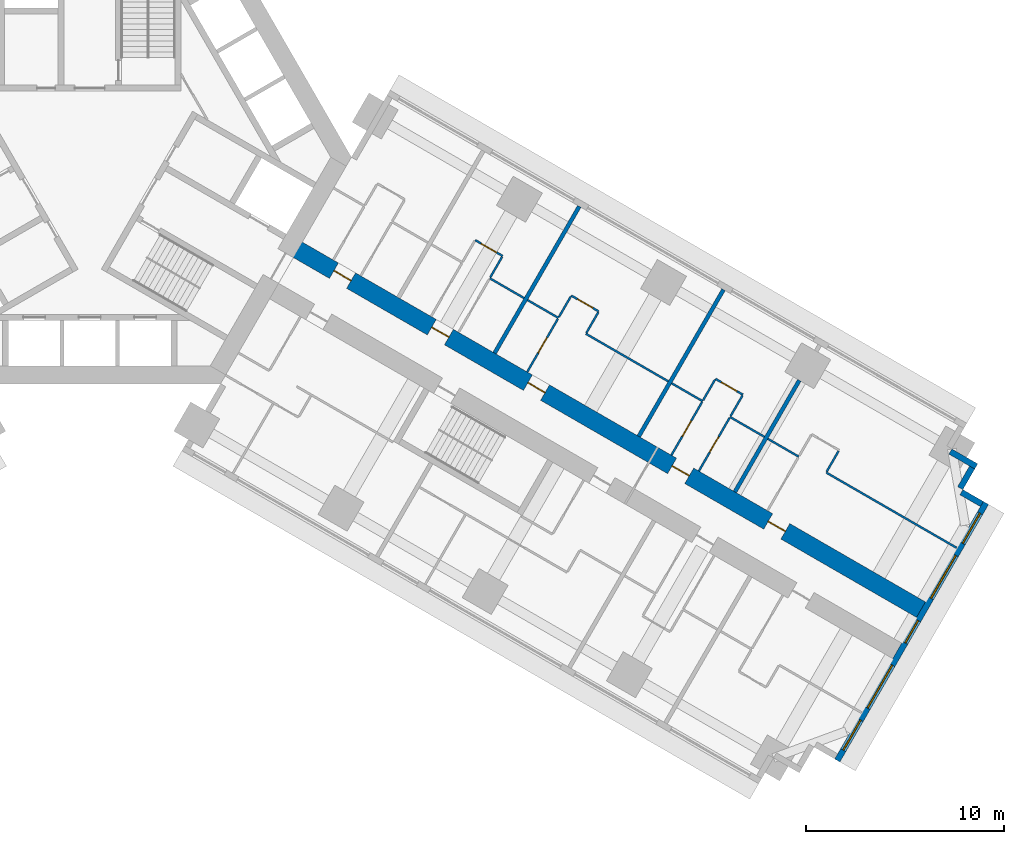
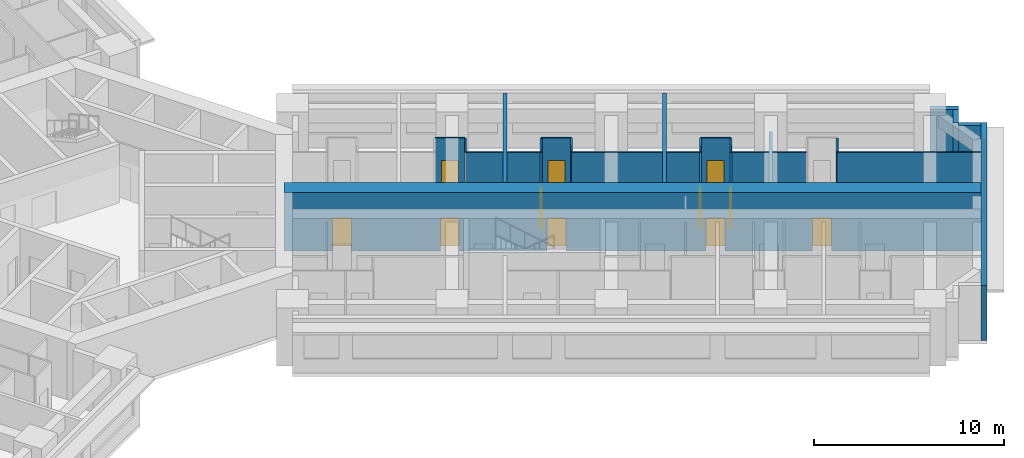
# One storey, part 13 of 17: 27 walls, 11 doors, 5 windows, 16 openings.
"""IFC4 building model written with IfcOpenShell, lengths in metres."""

from ifc_helpers import new_model, si_unit, direction, frame, frame_2d, origin, place, context, subcontext, project, spatial, rectangle, extrude, material, layer, layer_set, type_object, element, fill, save


model = new_model("IFC4")

# Units and contexts
model_context = context("Model", 3, precision=1e-05, world=origin(), true_north=direction((0.0, 1.0)))
body_context = subcontext(model_context, "Body", "Model", "MODEL_VIEW")
ifc_project = project(units=[si_unit("LENGTHUNIT", "METRE"), si_unit("AREAUNIT", "SQUARE_METRE"), si_unit("VOLUMEUNIT", "CUBIC_METRE"), si_unit("PLANEANGLEUNIT", "RADIAN"), si_unit("MASSUNIT", "GRAM", prefix="KILO")], contexts=[model_context])

# Site, building, storey
site_placement = place(None, origin())
site = spatial("IfcSite", under=ifc_project, at=site_placement, CompositionType="ELEMENT")
building_placement = place(site_placement, origin())
building = spatial("IfcBuilding", under=site, at=building_placement, Name="Impinga Residences", CompositionType="ELEMENT")
storey_placement = place(building_placement, frame((0.0, 0.0, 29.75)))
storey = spatial("IfcBuildingStorey", under=building, at=storey_placement, Name="L06", CompositionType="ELEMENT", Elevation=29.75)

# Wall, openings, doors
ifc_material_1 = material(Name="Concrete C70/85", Category="concrete")
ifc_layer_1 = layer(ifc_material_1, 0.89990234375)
ifc_layer_set_1 = layer_set([ifc_layer_1], Name="Concrete C70/85")
wall_type_1 = type_object("IfcWallType", Name="BW1 corridor buttress wall, L05 to L22 900", PredefinedType="SHEAR", material=ifc_layer_set_1)
wall_1_placement = place(storey_placement, frame((10.1103515625, -4.451416015625, 0.0), z_axis=(0.0, 0.0, 1.0), x_axis=(0.866025284237, -0.500000207062, 0.0)))
wall_1 = element("IfcWall", 1, at=wall_1_placement, inside=storey, type_object=wall_type_1, Name="Corridor wall BW1 EC L06", PredefinedType="SHEAR", context=body_context, shape_type="SweptSolid", body=[
    extrude(rectangle(XDim=36.75, YDim=0.89990234375, at=frame_2d((18.375, 0.0))), origin(), (0.0, 0.0, 1.0), 3.75),
])
opening_1_placement = place(wall_1_placement, frame((2.550048828125, 0.0, 0.0)))
opening_1 = element("IfcOpeningElement", 2, at=opening_1_placement, cuts=wall_1, Name="Opening D1", PredefinedType="OPENING", context=body_context, shape_type="SweptSolid", body=[
    extrude(rectangle(XDim=1.0, YDim=2.10009765625, at=frame_2d((0.5, 1.050048828125))), frame((0.0, 0.4599609375, 0.0), z_axis=(0.0, -1.0, 0.0), x_axis=(1.0, 0.0, 0.0)), (0.0, 0.0, 1.0), 0.919921875),
])
opening_2_placement = place(wall_1_placement, frame((8.25, 0.0, 0.0)))
opening_2 = element("IfcOpeningElement", 3, at=opening_2_placement, cuts=wall_1, Name="Opening D1", PredefinedType="OPENING", context=body_context, shape_type="SweptSolid", body=[
    extrude(rectangle(XDim=1.0, YDim=2.10009765625, at=frame_2d((0.5, 1.050048828125))), frame((0.0, 0.4599609375, 0.0), z_axis=(0.0, -1.0, 0.0), x_axis=(1.0, 0.0, 0.0)), (0.0, 0.0, 1.0), 0.919921875),
])
opening_3_placement = place(wall_1_placement, frame((13.85009765625, 0.0, 0.0)))
opening_3 = element("IfcOpeningElement", 4, at=opening_3_placement, cuts=wall_1, Name="Opening D1", PredefinedType="OPENING", context=body_context, shape_type="SweptSolid", body=[
    extrude(rectangle(XDim=1.0, YDim=2.10009765625, at=frame_2d((0.5, 1.050048828125))), frame((0.0, 0.4599609375, 0.0), z_axis=(0.0, -1.0, 0.0), x_axis=(1.0, 0.0, 0.0)), (0.0, 0.0, 1.0), 0.919921875),
])
opening_4_placement = place(wall_1_placement, frame((22.25, 0.0, 0.0)))
opening_4 = element("IfcOpeningElement", 5, at=opening_4_placement, cuts=wall_1, Name="Opening D1", PredefinedType="OPENING", context=body_context, shape_type="SweptSolid", body=[
    extrude(rectangle(XDim=1.0, YDim=2.10009765625, at=frame_2d((0.5, 1.050048828125))), frame((0.0, 0.4599609375, 0.0), z_axis=(0.0, -1.0, 0.0), x_axis=(1.0, 0.0, 0.0)), (0.0, 0.0, 1.0), 0.919921875),
])
opening_5_placement = place(wall_1_placement, frame((27.85009765625, 0.0, 0.0)))
opening_5 = element("IfcOpeningElement", 6, at=opening_5_placement, cuts=wall_1, Name="Opening D1", PredefinedType="OPENING", context=body_context, shape_type="SweptSolid", body=[
    extrude(rectangle(XDim=1.0, YDim=2.10009765625, at=frame_2d((0.5, 1.050048828125))), frame((0.0, 0.4599609375, 0.0), z_axis=(0.0, -1.0, 0.0), x_axis=(1.0, 0.0, 0.0)), (0.0, 0.0, 1.0), 0.919921875),
])
ifc_material_2 = material(Name="Timber door set", Category="wood")
door_type_1 = type_object("IfcDoorType", Name="D1 apartment entrance door 1000x2100", OperationType="SINGLE_SWING_LEFT", PredefinedType="DOOR", material=ifc_material_2)
door_1_placement = place(opening_1_placement, origin())
door_1 = element("IfcDoor", 7, at=door_1_placement, inside=storey, type_object=door_type_1, Name="Apartment L06-EA1 entrance", OperationType="SINGLE_SWING_LEFT", OverallHeight=2.10009765625, OverallWidth=1.0, PredefinedType="DOOR", context=body_context, shape_type="SweptSolid", body=[
    extrude(rectangle(XDim=1.0, YDim=2.10009765625, at=frame_2d((0.5, 1.050048828125))), frame((0.0, 0.02490234375, 0.0), z_axis=(0.0, -1.0, 0.0), x_axis=(1.0, 0.0, 0.0)), (0.0, 0.0, 1.0), 0.050048828125),
])
fill(opening_1, door_1)
door_2_placement = place(opening_2_placement, origin())
door_2 = element("IfcDoor", 8, at=door_2_placement, inside=storey, type_object=door_type_1, Name="Apartment L06-EA2 entrance", OperationType="SINGLE_SWING_LEFT", OverallHeight=2.10009765625, OverallWidth=1.0, PredefinedType="DOOR", context=body_context, shape_type="SweptSolid", body=[
    extrude(rectangle(XDim=1.0, YDim=2.10009765625, at=frame_2d((0.5, 1.050048828125))), frame((0.0, 0.02490234375, 0.0), z_axis=(0.0, -1.0, 0.0), x_axis=(1.0, 0.0, 0.0)), (0.0, 0.0, 1.0), 0.050048828125),
])
fill(opening_2, door_2)
door_3_placement = place(opening_3_placement, origin())
door_3 = element("IfcDoor", 9, at=door_3_placement, inside=storey, type_object=door_type_1, Name="Apartment L06-EA3 entrance", OperationType="SINGLE_SWING_LEFT", OverallHeight=2.10009765625, OverallWidth=1.0, PredefinedType="DOOR", context=body_context, shape_type="SweptSolid", body=[
    extrude(rectangle(XDim=1.0, YDim=2.10009765625, at=frame_2d((0.5, 1.050048828125))), frame((0.0, 0.02490234375, 0.0), z_axis=(0.0, -1.0, 0.0), x_axis=(1.0, 0.0, 0.0)), (0.0, 0.0, 1.0), 0.050048828125),
])
fill(opening_3, door_3)
door_4_placement = place(opening_4_placement, origin())
door_4 = element("IfcDoor", 10, at=door_4_placement, inside=storey, type_object=door_type_1, Name="Apartment L06-EA4 entrance", OperationType="SINGLE_SWING_RIGHT", OverallHeight=2.10009765625, OverallWidth=1.0, PredefinedType="DOOR", context=body_context, shape_type="SweptSolid", body=[
    extrude(rectangle(XDim=1.0, YDim=2.10009765625, at=frame_2d((0.5, 1.050048828125))), frame((0.0, 0.02490234375, 0.0), z_axis=(0.0, -1.0, 0.0), x_axis=(1.0, 0.0, 0.0)), (0.0, 0.0, 1.0), 0.050048828125),
])
fill(opening_4, door_4)
door_5_placement = place(opening_5_placement, origin())
door_5 = element("IfcDoor", 11, at=door_5_placement, inside=storey, type_object=door_type_1, Name="Apartment L06-EA5 entrance", OperationType="SINGLE_SWING_RIGHT", OverallHeight=2.10009765625, OverallWidth=1.0, PredefinedType="DOOR", context=body_context, shape_type="SweptSolid", body=[
    extrude(rectangle(XDim=1.0, YDim=2.10009765625, at=frame_2d((0.5, 1.050048828125))), frame((0.0, 0.02490234375, 0.0), z_axis=(0.0, -1.0, 0.0), x_axis=(1.0, 0.0, 0.0)), (0.0, 0.0, 1.0), 0.050048828125),
])
fill(opening_5, door_5)

# Walls
ifc_material_3 = material(Name="Terracotta rainscreen on blockwork", Category="masonry")
ifc_layer_2 = layer(ifc_material_3, 0.300048828125)
ifc_layer_set_2 = layer_set([ifc_layer_2], Name="EW1 external wall, terracotta rainscreen on blockwork 300")
wall_type_2 = type_object("IfcWallType", Name="EW1 external wall, terracotta rainscreen on blockwork 300", PredefinedType="SOLIDWALL", material=ifc_layer_set_2)
wall_2_placement = place(storey_placement, frame((43.42333984375, -14.8515625, 0.0), z_axis=(0.0, 0.0, 1.0), x_axis=(0.866031096941, -0.499990139034, 0.0)))
element("IfcWall", 12, at=wall_2_placement, inside=storey, type_object=wall_type_2, Name="External wall EW1 L06", PredefinedType="SOLIDWALL", context=body_context, shape_type="SweptSolid", body=[
    extrude(rectangle(XDim=1.5, YDim=0.300048828125, at=frame_2d((0.75, 0.0))), origin(), (0.0, 0.0, 1.0), 3.530029296875),
])
wall_3_placement = place(storey_placement, frame((44.517578125, -15.65625, 0.0), z_axis=(0.0, 0.0, 1.0), x_axis=(-0.500033551112, -0.866006032174, 0.0)))
element("IfcWall", 13, at=wall_3_placement, inside=storey, type_object=wall_type_2, Name="External wall EW1 L06", PredefinedType="SOLIDWALL", context=body_context, shape_type="SweptSolid", body=[
    extrude(rectangle(XDim=1.2001953125, YDim=0.300048828125, at=frame_2d((0.60009765625, 0.0))), origin(), (0.0, 0.0, 1.0), 3.530029296875),
])
wall_4_placement = place(storey_placement, frame((43.976806640625, -16.903076171875, 0.0), z_axis=(0.0, 0.0, 1.0), x_axis=(0.866059708757, -0.499940577336, 0.0)))
element("IfcWall", 14, at=wall_4_placement, inside=storey, type_object=wall_type_2, Name="External wall EW1 L06", PredefinedType="SOLIDWALL", context=body_context, shape_type="SweptSolid", body=[
    extrude(rectangle(XDim=1.195068359375, YDim=0.300048828125, at=frame_2d((0.59765625, 0.0))), origin(), (0.0, 0.0, 1.0), 3.530029296875),
])

# Wall, openings, windows
wall_5_placement = place(storey_placement, frame((45.216552734375, -17.445556640625, 0.0), z_axis=(0.0, 0.0, 1.0), x_axis=(-0.499997186618, -0.866027028085, 0.0)))
wall_5 = element("IfcWall", 15, at=wall_5_placement, inside=storey, type_object=wall_type_2, Name="External wall EW1 L06", PredefinedType="SOLIDWALL", context=body_context, shape_type="SweptSolid", body=[
    extrude(rectangle(XDim=15.0, YDim=0.300048828125, at=frame_2d((7.5, 0.0))), origin(), (0.0, 0.0, 1.0), 3.530029296875),
])
opening_6_placement = place(wall_5_placement, frame((0.60009765625, 0.0, 0.89990234375)))
opening_6 = element("IfcOpeningElement", 16, at=opening_6_placement, cuts=wall_5, Name="Opening W1", PredefinedType="OPENING", context=body_context, shape_type="SweptSolid", body=[
    extrude(rectangle(XDim=1.75, YDim=2.050048828125, at=frame_2d((0.875, 1.02490234375))), frame((0.0, 0.159912109375, 0.0), z_axis=(0.0, -1.0, 0.0), x_axis=(1.0, 0.0, 0.0)), (0.0, 0.0, 1.0), 0.320068359375),
])
opening_7_placement = place(wall_5_placement, frame((3.050048828125, 0.0, 0.89990234375)))
opening_7 = element("IfcOpeningElement", 17, at=opening_7_placement, cuts=wall_5, Name="Opening W2", PredefinedType="OPENING", context=body_context, shape_type="SweptSolid", body=[
    extrude(rectangle(XDim=2.5, YDim=2.050048828125, at=frame_2d((1.25, 1.02490234375))), frame((0.0, 0.159912109375, 0.0), z_axis=(0.0, -1.0, 0.0), x_axis=(1.0, 0.0, 0.0)), (0.0, 0.0, 1.0), 0.320068359375),
])
opening_8_placement = place(wall_5_placement, frame((6.85009765625, 0.0, 0.89990234375)))
opening_8 = element("IfcOpeningElement", 18, at=opening_8_placement, cuts=wall_5, Name="Opening WE1", PredefinedType="OPENING", context=body_context, shape_type="SweptSolid", body=[
    extrude(rectangle(XDim=1.300048828125, YDim=2.050048828125, at=frame_2d((0.64990234375, 1.02490234375))), frame((0.0, 0.159912109375, 0.0), z_axis=(0.0, -1.0, 0.0), x_axis=(1.0, 0.0, 0.0)), (0.0, 0.0, 1.0), 0.320068359375),
])
opening_9_placement = place(wall_5_placement, frame((9.449951171875, 0.0, 0.89990234375)))
opening_9 = element("IfcOpeningElement", 19, at=opening_9_placement, cuts=wall_5, Name="Opening W2", PredefinedType="OPENING", context=body_context, shape_type="SweptSolid", body=[
    extrude(rectangle(XDim=2.5, YDim=2.050048828125, at=frame_2d((1.25, 1.02490234375))), frame((0.0, 0.159912109375, 0.0), z_axis=(0.0, -1.0, 0.0), x_axis=(1.0, 0.0, 0.0)), (0.0, 0.0, 1.0), 0.320068359375),
])
opening_10_placement = place(wall_5_placement, frame((12.64990234375, 0.0, 0.89990234375)))
opening_10 = element("IfcOpeningElement", 20, at=opening_10_placement, cuts=wall_5, Name="Opening W1", PredefinedType="OPENING", context=body_context, shape_type="SweptSolid", body=[
    extrude(rectangle(XDim=1.75, YDim=2.050048828125, at=frame_2d((0.875, 1.02490234375))), frame((0.0, 0.159912109375, 0.0), z_axis=(0.0, -1.0, 0.0), x_axis=(1.0, 0.0, 0.0)), (0.0, 0.0, 1.0), 0.320068359375),
])
ifc_material_4 = material(Name="Aluminium window, clear double glazing", Category="aluminium")
window_type_1 = type_object("IfcWindowType", Name="W1 ribbon window 1750x2050", PartitioningType="SINGLE_PANEL", PredefinedType="WINDOW", material=ifc_material_4)
window_1_placement = place(opening_6_placement, origin())
window_1 = element("IfcWindow", 21, at=window_1_placement, inside=storey, type_object=window_type_1, Name="Window L06", OverallHeight=2.050048828125, OverallWidth=1.75, PartitioningType="SINGLE_PANEL", PredefinedType="WINDOW", context=body_context, shape_type="SweptSolid", body=[
    extrude(rectangle(XDim=1.75, YDim=2.050048828125, at=frame_2d((0.875, 1.02490234375))), frame((0.0, 0.030029296875, 0.0), z_axis=(0.0, -1.0, 0.0), x_axis=(1.0, 0.0, 0.0)), (0.0, 0.0, 1.0), 0.06005859375),
])
fill(opening_6, window_1)
window_2_placement = place(opening_10_placement, origin())
window_2 = element("IfcWindow", 22, at=window_2_placement, inside=storey, type_object=window_type_1, Name="Window L06", OverallHeight=2.050048828125, OverallWidth=1.75, PartitioningType="SINGLE_PANEL", PredefinedType="WINDOW", context=body_context, shape_type="SweptSolid", body=[
    extrude(rectangle(XDim=1.75, YDim=2.050048828125, at=frame_2d((0.875, 1.02490234375))), frame((0.0, 0.030029296875, 0.0), z_axis=(0.0, -1.0, 0.0), x_axis=(1.0, 0.0, 0.0)), (0.0, 0.0, 1.0), 0.06005859375),
])
fill(opening_10, window_2)
window_type_2 = type_object("IfcWindowType", Name="W2 ribbon window 2500x2050", PartitioningType="SINGLE_PANEL", PredefinedType="WINDOW", material=ifc_material_4)
window_3_placement = place(opening_7_placement, origin())
window_3 = element("IfcWindow", 23, at=window_3_placement, inside=storey, type_object=window_type_2, Name="Window L06", OverallHeight=2.050048828125, OverallWidth=2.5, PartitioningType="SINGLE_PANEL", PredefinedType="WINDOW", context=body_context, shape_type="SweptSolid", body=[
    extrude(rectangle(XDim=2.5, YDim=2.050048828125, at=frame_2d((1.25, 1.02490234375))), frame((0.0, 0.030029296875, 0.0), z_axis=(0.0, -1.0, 0.0), x_axis=(1.0, 0.0, 0.0)), (0.0, 0.0, 1.0), 0.06005859375),
])
fill(opening_7, window_3)
window_4_placement = place(opening_9_placement, origin())
window_4 = element("IfcWindow", 24, at=window_4_placement, inside=storey, type_object=window_type_2, Name="Window L06", OverallHeight=2.050048828125, OverallWidth=2.5, PartitioningType="SINGLE_PANEL", PredefinedType="WINDOW", context=body_context, shape_type="SweptSolid", body=[
    extrude(rectangle(XDim=2.5, YDim=2.050048828125, at=frame_2d((1.25, 1.02490234375))), frame((0.0, 0.030029296875, 0.0), z_axis=(0.0, -1.0, 0.0), x_axis=(1.0, 0.0, 0.0)), (0.0, 0.0, 1.0), 0.06005859375),
])
fill(opening_9, window_4)
window_type_3 = type_object("IfcWindowType", Name="WE1 corridor window 1300x2050", PartitioningType="SINGLE_PANEL", PredefinedType="WINDOW", material=ifc_material_4)
window_5_placement = place(opening_8_placement, origin())
window_5 = element("IfcWindow", 25, at=window_5_placement, inside=storey, type_object=window_type_3, Name="Window L06", OverallHeight=2.050048828125, OverallWidth=1.300048828125, PartitioningType="SINGLE_PANEL", PredefinedType="WINDOW", context=body_context, shape_type="SweptSolid", body=[
    extrude(rectangle(XDim=1.300048828125, YDim=2.050048828125, at=frame_2d((0.64990234375, 1.02490234375))), frame((0.0, 0.030029296875, 0.0), z_axis=(0.0, -1.0, 0.0), x_axis=(1.0, 0.0, 0.0)), (0.0, 0.0, 1.0), 0.06005859375),
])
fill(opening_8, window_5)

# Wall
ifc_material_5 = material(Name="Gypsum board on steel studs", Category="steel")
ifc_layer_3 = layer(ifc_material_5, 0.10009765625)
ifc_layer_set_3 = layer_set([ifc_layer_3], Name="Gypsum board on steel studs")
wall_type_3 = type_object("IfcWallType", Name="IP1 partition 100", PredefinedType="PARTITIONING", material=ifc_layer_set_3)
wall_6_placement = place(storey_placement, frame((20.180908203125, -6.10888671875, 0.0), z_axis=(0.0, 0.0, 1.0), x_axis=(0.866010750942, -0.50002537861, 0.0)))
element("IfcWall", 26, at=wall_6_placement, inside=storey, type_object=wall_type_3, Name="Partition L06-EA2:DIV1", PredefinedType="PARTITIONING", context=body_context, shape_type="SweptSolid", body=[
    extrude(rectangle(XDim=2.0, YDim=0.10009765625, at=frame_2d((1.0, 0.0))), origin(), (0.0, 0.0, 1.0), 3.530029296875),
])

# Wall, opening, door
wall_7_placement = place(storey_placement, frame((19.4453125, -4.18310546875, 0.0), z_axis=(0.0, 0.0, 1.0), x_axis=(0.866055983265, -0.499947031044, 0.0)))
wall_7 = element("IfcWall", 27, at=wall_7_placement, inside=storey, type_object=wall_type_3, Name="Partition L06-EA2:STRIP", PredefinedType="PARTITIONING", context=body_context, shape_type="SweptSolid", body=[
    extrude(rectangle(XDim=1.599853515625, YDim=0.10009765625, at=frame_2d((0.7998046875, 0.0))), origin(), (0.0, 0.0, 1.0), 3.530029296875),
])
opening_11_placement = place(wall_7_placement, frame((0.35009765625, 0.0, 0.0)))
opening_11 = element("IfcOpeningElement", 28, at=opening_11_placement, cuts=wall_7, Name="Opening D2", PredefinedType="OPENING", context=body_context, shape_type="SweptSolid", body=[
    extrude(rectangle(XDim=0.89990234375, YDim=2.10009765625, at=frame_2d((0.449951171875, 1.050048828125))), frame((0.0, 0.06005859375, 0.0), z_axis=(0.0, -1.0, 0.0), x_axis=(1.0, 0.0, 0.0)), (0.0, 0.0, 1.0), 0.1201171875),
])
door_type_2 = type_object("IfcDoorType", Name="D2 internal door 900x2100", OperationType="SINGLE_SWING_LEFT", PredefinedType="DOOR", material=ifc_material_2)
door_6_placement = place(opening_11_placement, origin())
door_6 = element("IfcDoor", 29, at=door_6_placement, inside=storey, type_object=door_type_2, Name="Apartment L06-EA2 room door", OperationType="SINGLE_SWING_LEFT", OverallHeight=2.10009765625, OverallWidth=0.89990234375, PredefinedType="DOOR", context=body_context, shape_type="SweptSolid", body=[
    extrude(rectangle(XDim=0.89990234375, YDim=2.10009765625, at=frame_2d((0.449951171875, 1.050048828125))), frame((0.0, 0.02490234375, 0.0), z_axis=(0.0, -1.0, 0.0), x_axis=(1.0, 0.0, 0.0)), (0.0, 0.0, 1.0), 0.050048828125),
])
fill(opening_11, door_6)

# Walls
wall_8_placement = place(storey_placement, frame((20.205810546875, -6.0654296875, 0.0), z_axis=(0.0, 0.0, 1.0), x_axis=(0.50012165622, 0.865955154139, 0.0)))
element("IfcWall", 30, at=wall_8_placement, inside=storey, type_object=wall_type_3, Name="Partition L06-EA2:SE1", PredefinedType="PARTITIONING", context=body_context, shape_type="SweptSolid", body=[
    extrude(rectangle(XDim=1.199951171875, YDim=0.10009765625, at=frame_2d((0.60009765625, 0.0))), origin(), (0.0, 0.0, 1.0), 3.530029296875),
])
wall_9_placement = place(storey_placement, frame((22.086181640625, -7.208740234375, 0.0), z_axis=(0.0, 0.0, 1.0), x_axis=(0.865989075817, -0.500062916607, 0.0)))
element("IfcWall", 31, at=wall_9_placement, inside=storey, type_object=wall_type_3, Name="Partition L06-EA3:DIV0", PredefinedType="PARTITIONING", context=body_context, shape_type="SweptSolid", body=[
    extrude(rectangle(XDim=1.800048828125, YDim=0.10009765625, at=frame_2d((0.89990234375, 0.0))), origin(), (0.0, 0.0, 1.0), 3.530029296875),
])
wall_10_placement = place(storey_placement, frame((25.030517578125, -8.908935546875, 0.0), z_axis=(0.0, 0.0, 1.0), x_axis=(0.866037363387, -0.499979284789, 0.0)))
element("IfcWall", 32, at=wall_10_placement, inside=storey, type_object=wall_type_3, Name="Partition L06-EA3:DIV1", PredefinedType="PARTITIONING", context=body_context, shape_type="SweptSolid", body=[
    extrude(rectangle(XDim=4.800048828125, YDim=0.10009765625, at=frame_2d((2.39990234375, 0.0))), origin(), (0.0, 0.0, 1.0), 3.530029296875),
])

# Wall, opening, door
wall_11_placement = place(storey_placement, frame((24.294921875, -6.98291015625, 0.0), z_axis=(0.0, 0.0, 1.0), x_axis=(0.866028054938, -0.499995408039, 0.0)))
wall_11 = element("IfcWall", 33, at=wall_11_placement, inside=storey, type_object=wall_type_3, Name="Partition L06-EA3:STRIP", PredefinedType="PARTITIONING", context=body_context, shape_type="SweptSolid", body=[
    extrude(rectangle(XDim=1.60009765625, YDim=0.10009765625, at=frame_2d((0.800048828125, 0.0))), origin(), (0.0, 0.0, 1.0), 3.530029296875),
])
opening_12_placement = place(wall_11_placement, frame((0.35009765625, 0.0, 0.0)))
opening_12 = element("IfcOpeningElement", 34, at=opening_12_placement, cuts=wall_11, Name="Opening D2", PredefinedType="OPENING", context=body_context, shape_type="SweptSolid", body=[
    extrude(rectangle(XDim=0.89990234375, YDim=2.10009765625, at=frame_2d((0.449951171875, 1.050048828125))), frame((0.0, 0.06005859375, 0.0), z_axis=(0.0, -1.0, 0.0), x_axis=(1.0, 0.0, 0.0)), (0.0, 0.0, 1.0), 0.1201171875),
])
door_7_placement = place(opening_12_placement, origin())
door_7 = element("IfcDoor", 35, at=door_7_placement, inside=storey, type_object=door_type_2, Name="Apartment L06-EA3 room door", OperationType="SINGLE_SWING_LEFT", OverallHeight=2.10009765625, OverallWidth=0.89990234375, PredefinedType="DOOR", context=body_context, shape_type="SweptSolid", body=[
    extrude(rectangle(XDim=0.89990234375, YDim=2.10009765625, at=frame_2d((0.449951171875, 1.050048828125))), frame((0.0, 0.02490234375, 0.0), z_axis=(0.0, -1.0, 0.0), x_axis=(1.0, 0.0, 0.0)), (0.0, 0.0, 1.0), 0.050048828125),
])
fill(opening_12, door_7)

# Walls
wall_12_placement = place(storey_placement, frame((23.669921875, -8.0654296875, 0.0), z_axis=(0.0, 0.0, 1.0), x_axis=(0.50012165622, 0.865955154139, 0.0)))
element("IfcWall", 36, at=wall_12_placement, inside=storey, type_object=wall_type_3, Name="Partition L06-EA3:SE0", PredefinedType="PARTITIONING", context=body_context, shape_type="SweptSolid", body=[
    extrude(rectangle(XDim=1.199951171875, YDim=0.10009765625, at=frame_2d((0.60009765625, 0.0))), origin(), (0.0, 0.0, 1.0), 3.530029296875),
])
wall_13_placement = place(storey_placement, frame((25.0556640625, -8.865478515625, 0.0), z_axis=(0.0, 0.0, 1.0), x_axis=(0.499969057507, 0.866043267704, 0.0)))
element("IfcWall", 37, at=wall_13_placement, inside=storey, type_object=wall_type_3, Name="Partition L06-EA3:SE1", PredefinedType="PARTITIONING", context=body_context, shape_type="SweptSolid", body=[
    extrude(rectangle(XDim=1.19970703125, YDim=0.10009765625, at=frame_2d((0.599853515625, 0.0))), origin(), (0.0, 0.0, 1.0), 3.530029296875),
])

# Wall, opening, door
wall_14_placement = place(storey_placement, frame((22.06982421875, -10.8369140625, 0.0), z_axis=(0.0, 0.0, 1.0), x_axis=(0.49999285859, 0.86602952684, 0.0)))
wall_14 = element("IfcWall", 38, at=wall_14_placement, inside=storey, type_object=wall_type_3, Name="Partition L06-EA3:IB1", PredefinedType="PARTITIONING", context=body_context, shape_type="SweptSolid", body=[
    extrude(rectangle(XDim=3.10009765625, YDim=0.10009765625, at=frame_2d((1.550048828125, 0.0))), origin(), (0.0, 0.0, 1.0), 3.530029296875),
])
opening_13_placement = place(wall_14_placement, frame((1.10009765625, 0.0, 0.0)))
opening_13 = element("IfcOpeningElement", 39, at=opening_13_placement, cuts=wall_14, Name="Opening D2", PredefinedType="OPENING", context=body_context, shape_type="SweptSolid", body=[
    extrude(rectangle(XDim=0.89990234375, YDim=2.10009765625, at=frame_2d((0.449951171875, 1.050048828125))), frame((0.0, 0.06005859375, 0.0), z_axis=(0.0, -1.0, 0.0), x_axis=(1.0, 0.0, 0.0)), (0.0, 0.0, 1.0), 0.1201171875),
])
door_8_placement = place(opening_13_placement, origin())
door_8 = element("IfcDoor", 40, at=door_8_placement, inside=storey, type_object=door_type_2, Name="Apartment L06-EA3 bathroom door", OperationType="SINGLE_SWING_LEFT", OverallHeight=2.10009765625, OverallWidth=0.89990234375, PredefinedType="DOOR", context=body_context, shape_type="SweptSolid", body=[
    extrude(rectangle(XDim=0.89990234375, YDim=2.10009765625, at=frame_2d((0.449951171875, 1.050048828125))), frame((0.0, 0.02490234375, 0.0), z_axis=(0.0, -1.0, 0.0), x_axis=(1.0, 0.0, 0.0)), (0.0, 0.0, 1.0), 0.050048828125),
])
fill(opening_13, door_8)

# Walls
wall_15_placement = place(storey_placement, frame((29.360595703125, -11.408935546875, 0.0), z_axis=(0.0, 0.0, 1.0), x_axis=(0.866047807691, -0.499961193289, 0.0)))
element("IfcWall", 41, at=wall_15_placement, inside=storey, type_object=wall_type_3, Name="Partition L06-EA4:DIV0", PredefinedType="PARTITIONING", context=body_context, shape_type="SweptSolid", body=[
    extrude(rectangle(XDim=1.800048828125, YDim=0.10009765625, at=frame_2d((0.89990234375, 0.0))), origin(), (0.0, 0.0, 1.0), 3.530029296875),
])
wall_16_placement = place(storey_placement, frame((32.30517578125, -13.10888671875, 0.0), z_axis=(0.0, 0.0, 1.0), x_axis=(0.866041268327, -0.499972520799, 0.0)))
element("IfcWall", 42, at=wall_16_placement, inside=storey, type_object=wall_type_3, Name="Partition L06-EA4:DIV1", PredefinedType="PARTITIONING", context=body_context, shape_type="SweptSolid", body=[
    extrude(rectangle(XDim=2.0, YDim=0.10009765625, at=frame_2d((1.0, 0.0))), origin(), (0.0, 0.0, 1.0), 3.530029296875),
])

# Wall, opening, door
wall_17_placement = place(storey_placement, frame((31.569580078125, -11.18310546875, 0.0), z_axis=(0.0, 0.0, 1.0), x_axis=(0.866055983265, -0.499947031044, 0.0)))
wall_17 = element("IfcWall", 43, at=wall_17_placement, inside=storey, type_object=wall_type_3, Name="Partition L06-EA4:STRIP", PredefinedType="PARTITIONING", context=body_context, shape_type="SweptSolid", body=[
    extrude(rectangle(XDim=1.599853515625, YDim=0.10009765625, at=frame_2d((0.7998046875, 0.0))), origin(), (0.0, 0.0, 1.0), 3.530029296875),
])
opening_14_placement = place(wall_17_placement, frame((0.35009765625, 0.0, 0.0)))
opening_14 = element("IfcOpeningElement", 44, at=opening_14_placement, cuts=wall_17, Name="Opening D2", PredefinedType="OPENING", context=body_context, shape_type="SweptSolid", body=[
    extrude(rectangle(XDim=0.89990234375, YDim=2.10009765625, at=frame_2d((0.449951171875, 1.050048828125))), frame((0.0, 0.06005859375, 0.0), z_axis=(0.0, -1.0, 0.0), x_axis=(1.0, 0.0, 0.0)), (0.0, 0.0, 1.0), 0.1201171875),
])
door_9_placement = place(opening_14_placement, origin())
door_9 = element("IfcDoor", 45, at=door_9_placement, inside=storey, type_object=door_type_2, Name="Apartment L06-EA4 room door", OperationType="SINGLE_SWING_LEFT", OverallHeight=2.10009765625, OverallWidth=0.89990234375, PredefinedType="DOOR", context=body_context, shape_type="SweptSolid", body=[
    extrude(rectangle(XDim=0.89990234375, YDim=2.10009765625, at=frame_2d((0.449951171875, 1.050048828125))), frame((0.0, 0.02490234375, 0.0), z_axis=(0.0, -1.0, 0.0), x_axis=(1.0, 0.0, 0.0)), (0.0, 0.0, 1.0), 0.050048828125),
])
fill(opening_14, door_9)

# Walls
for number, where, z_axis, x_axis, name in (
    (46, (30.944580078125, -12.265625, 0.0), (0.0, 0.0, 1.0), (0.499880961361, 0.866094119867, 0.0), "Partition L06-EA4:SE0"),
    (47, (32.330078125, -13.0654296875, 0.0), (0.0, 0.0, 1.0), (0.50012165622, 0.865955154139, 0.0), "Partition L06-EA4:SE1"),
):
    element("IfcWall", number, at=place(storey_placement, frame(where, z_axis=z_axis, x_axis=x_axis)), inside=storey, type_object=wall_type_3, Name=name, PredefinedType="PARTITIONING", context=body_context, shape_type="SweptSolid", body=[
        extrude(rectangle(XDim=1.199951171875, YDim=0.10009765625, at=frame_2d((0.60009765625, 0.0))), origin(), (0.0, 0.0, 1.0), 3.530029296875),
    ])

# Wall, opening, door
wall_18_placement = place(storey_placement, frame((29.344482421875, -15.036865234375, 0.0), z_axis=(0.0, 0.0, 1.0), x_axis=(0.49999285859, 0.86602952684, 0.0)))
wall_18 = element("IfcWall", 48, at=wall_18_placement, inside=storey, type_object=wall_type_3, Name="Partition L06-EA4:IB1", PredefinedType="PARTITIONING", context=body_context, shape_type="SweptSolid", body=[
    extrude(rectangle(XDim=3.10009765625, YDim=0.10009765625, at=frame_2d((1.550048828125, 0.0))), origin(), (0.0, 0.0, 1.0), 3.530029296875),
])
opening_15_placement = place(wall_18_placement, frame((1.10009765625, 0.0, 0.0)))
opening_15 = element("IfcOpeningElement", 49, at=opening_15_placement, cuts=wall_18, Name="Opening D2", PredefinedType="OPENING", context=body_context, shape_type="SweptSolid", body=[
    extrude(rectangle(XDim=0.89990234375, YDim=2.10009765625, at=frame_2d((0.449951171875, 1.050048828125))), frame((0.0, 0.06005859375, 0.0), z_axis=(0.0, -1.0, 0.0), x_axis=(1.0, 0.0, 0.0)), (0.0, 0.0, 1.0), 0.1201171875),
])
door_10_placement = place(opening_15_placement, origin())
door_10 = element("IfcDoor", 50, at=door_10_placement, inside=storey, type_object=door_type_2, Name="Apartment L06-EA4 bathroom door", OperationType="SINGLE_SWING_LEFT", OverallHeight=2.10009765625, OverallWidth=0.89990234375, PredefinedType="DOOR", context=body_context, shape_type="SweptSolid", body=[
    extrude(rectangle(XDim=0.89990234375, YDim=2.10009765625, at=frame_2d((0.449951171875, 1.050048828125))), frame((0.0, 0.02490234375, 0.0), z_axis=(0.0, -1.0, 0.0), x_axis=(1.0, 0.0, 0.0)), (0.0, 0.0, 1.0), 0.050048828125),
])
fill(opening_15, door_10)

wall_19_placement = place(storey_placement, frame((30.730224609375, -15.8369140625, 0.0), z_axis=(0.0, 0.0, 1.0), x_axis=(0.49999285859, 0.86602952684, 0.0)))
wall_19 = element("IfcWall", 51, at=wall_19_placement, inside=storey, type_object=wall_type_3, Name="Partition L06-EA4:IB2", PredefinedType="PARTITIONING", context=body_context, shape_type="SweptSolid", body=[
    extrude(rectangle(XDim=3.10009765625, YDim=0.10009765625, at=frame_2d((1.550048828125, 0.0))), origin(), (0.0, 0.0, 1.0), 3.530029296875),
])
opening_16_placement = place(wall_19_placement, frame((1.10009765625, 0.0, 0.0)))
opening_16 = element("IfcOpeningElement", 52, at=opening_16_placement, cuts=wall_19, Name="Opening D2", PredefinedType="OPENING", context=body_context, shape_type="SweptSolid", body=[
    extrude(rectangle(XDim=0.89990234375, YDim=2.10009765625, at=frame_2d((0.449951171875, 1.050048828125))), frame((0.0, 0.06005859375, 0.0), z_axis=(0.0, -1.0, 0.0), x_axis=(1.0, 0.0, 0.0)), (0.0, 0.0, 1.0), 0.1201171875),
])
door_11_placement = place(opening_16_placement, origin())
door_11 = element("IfcDoor", 53, at=door_11_placement, inside=storey, type_object=door_type_2, Name="Apartment L06-EA4 WC door", OperationType="SINGLE_SWING_LEFT", OverallHeight=2.10009765625, OverallWidth=0.89990234375, PredefinedType="DOOR", context=body_context, shape_type="SweptSolid", body=[
    extrude(rectangle(XDim=0.89990234375, YDim=2.10009765625, at=frame_2d((0.449951171875, 1.050048828125))), frame((0.0, 0.02490234375, 0.0), z_axis=(0.0, -1.0, 0.0), x_axis=(1.0, 0.0, 0.0)), (0.0, 0.0, 1.0), 0.050048828125),
])
fill(opening_16, door_11)

# Walls
wall_20_placement = place(storey_placement, frame((34.21044921875, -14.208740234375, 0.0), z_axis=(0.0, 0.0, 1.0), x_axis=(0.865989075817, -0.500062916607, 0.0)))
element("IfcWall", 54, at=wall_20_placement, inside=storey, type_object=wall_type_3, Name="Partition L06-EA5:DIV0", PredefinedType="PARTITIONING", context=body_context, shape_type="SweptSolid", body=[
    extrude(rectangle(XDim=1.800048828125, YDim=0.10009765625, at=frame_2d((0.89990234375, 0.0))), origin(), (0.0, 0.0, 1.0), 3.530029296875),
])
wall_21_placement = place(storey_placement, frame((37.155029296875, -15.908935546875, 0.0), z_axis=(0.0, 0.0, 1.0), x_axis=(0.866036335692, -0.499981064903, 0.0)))
element("IfcWall", 55, at=wall_21_placement, inside=storey, type_object=wall_type_3, Name="Partition L06-EA5:DIV1", PredefinedType="PARTITIONING", context=body_context, shape_type="SweptSolid", body=[
    extrude(rectangle(XDim=7.599853515625, YDim=0.10009765625, at=frame_2d((3.7998046875, 0.0))), origin(), (0.0, 0.0, 1.0), 3.530029296875),
])
wall_22_placement = place(storey_placement, frame((37.179931640625, -15.865478515625, 0.0), z_axis=(0.0, 0.0, 1.0), x_axis=(0.50012165622, 0.865955154139, 0.0)))
element("IfcWall", 56, at=wall_22_placement, inside=storey, type_object=wall_type_3, Name="Partition L06-EA5:SE1", PredefinedType="PARTITIONING", context=body_context, shape_type="SweptSolid", body=[
    extrude(rectangle(XDim=1.199951171875, YDim=0.10009765625, at=frame_2d((0.60009765625, 0.0))), origin(), (0.0, 0.0, 1.0), 3.530029296875),
])
ifc_material_6 = material(Name="Concrete blockwork", Category="masonry")
ifc_layer_4 = layer(ifc_material_6, 0.199951171875)
ifc_layer_set_4 = layer_set([ifc_layer_4], Name="PW1 party wall between apartments 200")
wall_type_4 = type_object("IfcWallType", Name="PW1 party wall between apartments 200", PredefinedType="SOLIDWALL", material=ifc_layer_set_4)
wall_23_placement = place(storey_placement, frame((20.424560546875, -9.88671875, 0.0), z_axis=(0.0, 0.0, 1.0), x_axis=(0.500002592159, 0.866023907196, 0.0)))
element("IfcWall", 57, at=wall_23_placement, inside=storey, type_object=wall_type_4, Name="Party wall between apartments L06-EA2:PARTY", PredefinedType="SOLIDWALL", context=body_context, shape_type="SweptSolid", body=[
    extrude(rectangle(XDim=8.5498046875, YDim=0.199951171875, at=frame_2d((4.27490234375, 0.0))), origin(), (0.0, 0.0, 1.0), 3.530029296875),
])
wall_24_placement = place(storey_placement, frame((27.69921875, -14.0869140625, 0.0), z_axis=(0.0, 0.0, 1.0), x_axis=(0.499990227581, 0.86603104582, 0.0)))
element("IfcWall", 58, at=wall_24_placement, inside=storey, type_object=wall_type_4, Name="Party wall between apartments L06-EA3:PARTY", PredefinedType="SOLIDWALL", context=body_context, shape_type="SweptSolid", body=[
    extrude(rectangle(XDim=8.550048828125, YDim=0.199951171875, at=frame_2d((4.27490234375, 0.0))), origin(), (0.0, 0.0, 1.0), 3.530029296875),
])
wall_25_placement = place(storey_placement, frame((32.548828125, -16.88671875, 0.0), z_axis=(0.0, 0.0, 1.0), x_axis=(0.50000098154, 0.866024837091, 0.0)))
element("IfcWall", 59, at=wall_25_placement, inside=storey, type_object=wall_type_4, Name="Party wall between apartments L06-EA4:PARTY", PredefinedType="SOLIDWALL", context=body_context, shape_type="SweptSolid", body=[
    extrude(rectangle(XDim=6.5, YDim=0.199951171875, at=frame_2d((3.25, 0.0))), origin(), (0.0, 0.0, 1.0), 2.47998046875),
])

save(model, "model.ifc")
